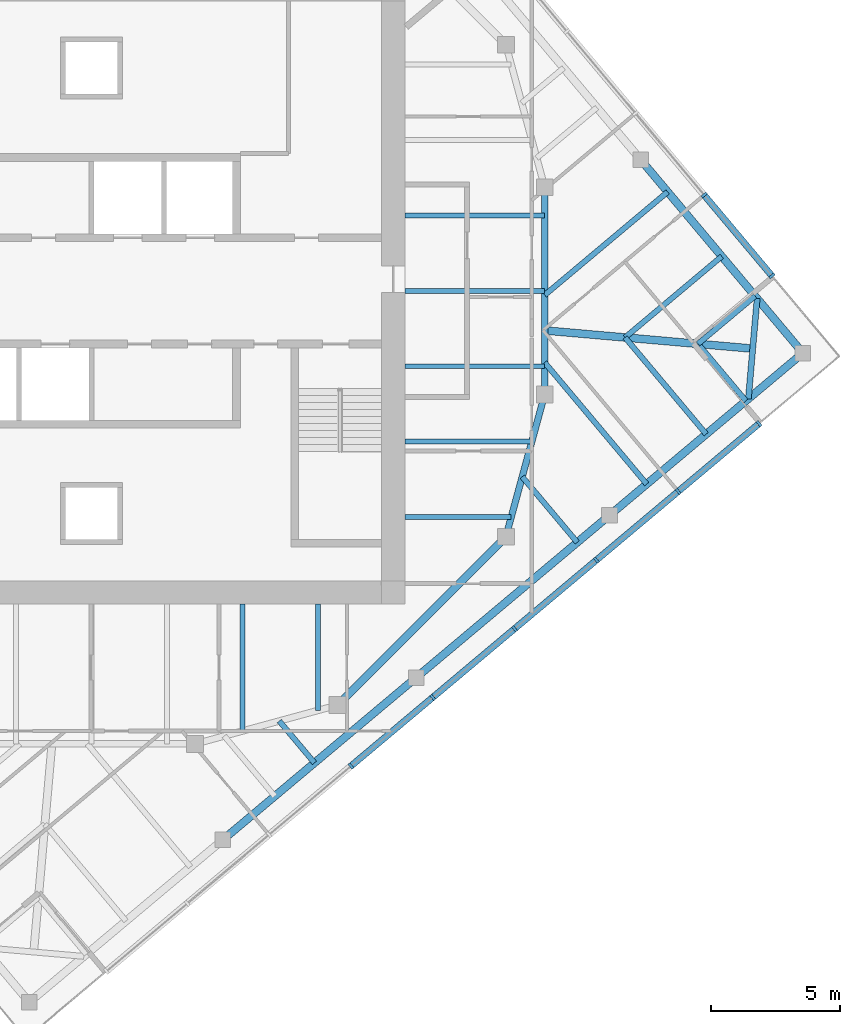
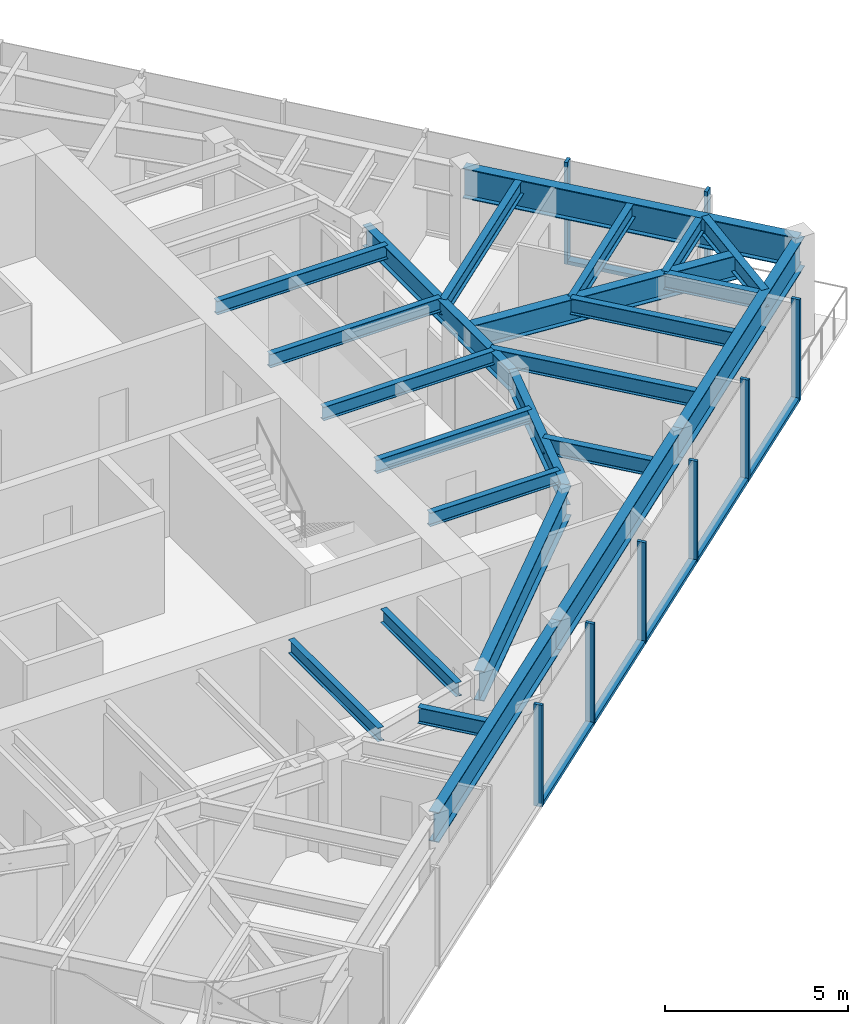
# One storey, part 3 of 11: 24 beams, 14 members, 2 elements without a shape of their own.
"""IFC4 building model written with IfcOpenShell, lengths in metres."""

from ifc_helpers import new_model, si_unit, direction, frame, origin, origin_2d, place, context, subcontext, project, spatial, rectangle, i_section, extrude, material, material_profile, profile_set, type_object, element, aggregate, save


model = new_model("IFC4")

# Units and contexts
model_context = context("Model", 3, precision=1e-05, world=origin(), true_north=direction((0.0, 1.0)))
body_context = subcontext(model_context, "Body", "Model", "MODEL_VIEW")
ifc_project = project(units=[si_unit("LENGTHUNIT", "METRE"), si_unit("AREAUNIT", "SQUARE_METRE"), si_unit("VOLUMEUNIT", "CUBIC_METRE"), si_unit("PLANEANGLEUNIT", "RADIAN"), si_unit("MASSUNIT", "GRAM", prefix="KILO")], contexts=[model_context])

# Site, building, storey
site_placement = place(None, origin())
site = spatial("IfcSite", under=ifc_project, at=site_placement, CompositionType="ELEMENT")
building_placement = place(site_placement, origin())
building = spatial("IfcBuilding", under=site, at=building_placement, Name="Torsade Residences", CompositionType="ELEMENT")
storey_placement = place(building_placement, frame((0.0, 0.0, 272.60009765625)))
storey = spatial("IfcBuildingStorey", under=building, at=storey_placement, Name="L75", CompositionType="ELEMENT", Elevation=272.60009765625)

# Beams
ifc_material_1 = material(Name="Steel grade 300", Category="steel")
ifc_material_profile_1 = material_profile(ifc_material_1, i_section(OverallWidth=0.300048828125, OverallDepth=0.800048828125, WebThickness=0.010009765625, FlangeThickness=0.02001953125, at=origin_2d()), Name="800WB146")
ifc_profile_set_1 = profile_set([ifc_material_profile_1], Name="Steel grade 300")
beam_type_1 = type_object("IfcBeamType", Name="CORNER GIRDER 800WB146", PredefinedType="BEAM", material=ifc_profile_set_1)
beam_1_placement = place(storey_placement, frame((65.53515625, 27.765869140625, 2.849853515625), z_axis=(-0.996193191806, 0.087172957961, 0.0), x_axis=(-0.087172957961, -0.996193191806, 0.0)))
element("IfcBeam", 1, at=beam_1_placement, inside=storey, type_object=beam_type_1, Name="Corner girder 05 L76", PredefinedType="BEAM", context=body_context, shape_type="SweptSolid", body=[
    extrude(i_section(OverallWidth=0.300048828125, OverallDepth=0.800048828125, WebThickness=0.010009765625, FlangeThickness=0.02001953125, at=origin_2d()), origin(), (0.0, 0.0, 1.0), 8.06591796875),
])
ifc_material_2 = material(Name="Steel grade 300", Category="steel")
ifc_material_profile_2 = material_profile(ifc_material_2, i_section(OverallWidth=0.22802734375, OverallDepth=0.60205078125, WebThickness=0.010498046875, FlangeThickness=0.014892578125, FilletRadius=0.013916015625, at=origin_2d()), Name="610UB101")
ifc_profile_set_2 = profile_set([ifc_material_profile_2], Name="Steel grade 300")
beam_type_2 = type_object("IfcBeamType", Name="CORNER TRIMMER 610UB101", PredefinedType="BEAM", material=ifc_profile_set_2)
beam_2_placement = place(storey_placement, frame((65.70458984375, 29.703125, 2.948974609375), z_axis=(-0.087133464362, -0.996196646947, 0.0), x_axis=(0.996196646947, -0.087133464362, 0.0)))
element("IfcBeam", 2, at=beam_2_placement, inside=storey, type_object=beam_type_2, Name="Corner trimmer 05 L76", PredefinedType="BEAM", context=body_context, shape_type="SweptSolid", body=[
    extrude(i_section(OverallWidth=0.22802734375, OverallDepth=0.60205078125, WebThickness=0.010498046875, FlangeThickness=0.014892578125, FilletRadius=0.013916015625, at=origin_2d()), origin(), (0.0, 0.0, 1.0), 3.88916015625),
])
ifc_material_3 = material(Name="Steel grade 300", Category="steel")
ifc_material_profile_3 = material_profile(ifc_material_3, i_section(OverallWidth=0.300048828125, OverallDepth=1.0, WebThickness=0.01611328125, FlangeThickness=0.028076171875, at=origin_2d()), Name="1000WB215")
ifc_profile_set_3 = profile_set([ifc_material_profile_3], Name="Steel grade 300")
beam_type_3 = type_object("IfcBeamType", Name="EDGE BEAM 1000WB215", PredefinedType="SPANDREL", material=ifc_profile_set_3)
for number, where, z_axis, x_axis, name in (
    (3, (45.0654296875, 8.794921875, 2.75), (0.766051532934, 0.642779160279, 0.0), (-0.642779160279, 0.766051532934, 0.0), "Edge beam 02 L76"),
    (4, (52.534423828125, 15.06201171875, 2.75), (0.766028856906, 0.642806184154, 0.0), (-0.642806184154, 0.766028856906, 0.0), "Edge beam 03 L76"),
    (5, (60.003173828125, 21.329345703125, 2.75), (0.766051532934, 0.642779160279, 0.0), (-0.642779160279, 0.766051532934, 0.0), "Edge beam 04 L76"),
    (6, (67.47216796875, 27.596435546875, 2.75), (-0.642779160279, 0.766051532934, 0.0), (-0.766051532934, -0.642779160279, 0.0), "Edge beam 05 L76"),
):
    element("IfcBeam", number, at=place(storey_placement, frame(where, z_axis=z_axis, x_axis=x_axis)), inside=storey, type_object=beam_type_3, Name=name, PredefinedType="SPANDREL", context=body_context, shape_type="SweptSolid", body=[
        extrude(i_section(OverallWidth=0.300048828125, OverallDepth=1.0, WebThickness=0.01611328125, FlangeThickness=0.028076171875, at=origin_2d()), origin(), (0.0, 0.0, 1.0), 9.75),
    ])

# Curtain wall, members
ifc_material_4 = material(Name="Aluminium and glass", Category="aluminium")
curtain_wall_type = type_object("IfcCurtainWallType", Name="FRITTED GLASS CURTAIN WALL HIGH ZONE", PredefinedType="NOTDEFINED", material=ifc_material_4)
curtain_wall_1_placement = place(storey_placement, origin())
curtain_wall_1 = element("IfcCurtainWall", 7, at=curtain_wall_1_placement, inside=storey, type_object=curtain_wall_type, Name="Curtain wall L75 face 1", PredefinedType="NOTDEFINED")
ifc_material_5 = material(Name="Aluminium mullion", Category="aluminium")
ifc_material_profile_4 = material_profile(ifc_material_5, rectangle(XDim=0.25, YDim=0.10009765625, at=origin_2d()), Name="HIGH ZONE CURTAIN WALL MULLION 250x100")
ifc_profile_set_4 = profile_set([ifc_material_profile_4], Name="Aluminium mullion")
member_type_1 = type_object("IfcMemberType", Name="HIGH ZONE CURTAIN WALL MULLION 250x100", PredefinedType="MULLION", material=ifc_profile_set_4)
member_1_placement = place(storey_placement, frame((50.017333984375, 11.64453125, 0.0), z_axis=(0.0, 0.0, 1.0), x_axis=(-0.642787616853, 0.766044437106, 0.0)))
member_1 = element("IfcMember", 8, at=member_1_placement, type_object=member_type_1, Name="Mullion 4", PredefinedType="MULLION", context=body_context, shape_type="SweptSolid", body=[
    extrude(rectangle(XDim=0.25, YDim=0.10009765625, at=origin_2d()), origin(), (0.0, 0.0, 1.0), 3.39990234375),
])
member_2_placement = place(storey_placement, frame((53.17724609375, 14.296142578125, 0.0), z_axis=(0.0, 0.0, 1.0), x_axis=(-0.642787616853, 0.766044437106, 0.0)))
member_2 = element("IfcMember", 9, at=member_2_placement, type_object=member_type_1, Name="Mullion 5", PredefinedType="MULLION", context=body_context, shape_type="SweptSolid", body=[
    extrude(rectangle(XDim=0.25, YDim=0.10009765625, at=origin_2d()), origin(), (0.0, 0.0, 1.0), 3.39990234375),
])
member_3_placement = place(storey_placement, frame((56.337158203125, 16.947509765625, 0.0), z_axis=(0.0, 0.0, 1.0), x_axis=(-0.642787616853, 0.766044437106, 0.0)))
member_3 = element("IfcMember", 10, at=member_3_placement, type_object=member_type_1, Name="Mullion 6", PredefinedType="MULLION", context=body_context, shape_type="SweptSolid", body=[
    extrude(rectangle(XDim=0.25, YDim=0.10009765625, at=origin_2d()), origin(), (0.0, 0.0, 1.0), 3.39990234375),
])
member_4_placement = place(storey_placement, frame((59.4970703125, 19.59912109375, 0.0), z_axis=(0.0, 0.0, 1.0), x_axis=(-0.642787616853, 0.766044437106, 0.0)))
member_4 = element("IfcMember", 11, at=member_4_placement, type_object=member_type_1, Name="Mullion 7", PredefinedType="MULLION", context=body_context, shape_type="SweptSolid", body=[
    extrude(rectangle(XDim=0.25, YDim=0.10009765625, at=origin_2d()), origin(), (0.0, 0.0, 1.0), 3.39990234375),
])
member_5_placement = place(storey_placement, frame((62.656982421875, 22.25048828125, 0.0), z_axis=(0.0, 0.0, 1.0), x_axis=(-0.642787616853, 0.766044437106, 0.0)))
member_5 = element("IfcMember", 12, at=member_5_placement, type_object=member_type_1, Name="Mullion 8", PredefinedType="MULLION", context=body_context, shape_type="SweptSolid", body=[
    extrude(rectangle(XDim=0.25, YDim=0.10009765625, at=origin_2d()), origin(), (0.0, 0.0, 1.0), 3.39990234375),
])
member_6_placement = place(storey_placement, frame((65.778564453125, 24.869873046875, 0.0), z_axis=(0.0, 0.0, 1.0), x_axis=(-0.642787616853, 0.766044437106, 0.0)))
member_6 = element("IfcMember", 13, at=member_6_placement, type_object=member_type_1, Name="Mullion 9", PredefinedType="MULLION", context=body_context, shape_type="SweptSolid", body=[
    extrude(rectangle(XDim=0.25, YDim=0.10009765625, at=origin_2d()), origin(), (0.0, 0.0, 1.0), 3.39990234375),
])

curtain_wall_2_placement = place(storey_placement, origin())
curtain_wall_2 = element("IfcCurtainWall", 14, at=curtain_wall_2_placement, inside=storey, type_object=curtain_wall_type, Name="Curtain wall L75 face 4", PredefinedType="NOTDEFINED")
member_7_placement = place(storey_placement, frame((66.27783203125, 30.57568359375, 0.0), z_axis=(0.0, 0.0, 1.0), x_axis=(-0.766044437106, -0.642787616853, 0.0)))
member_7 = element("IfcMember", 15, at=member_7_placement, type_object=member_type_1, Name="Mullion 1", PredefinedType="MULLION", context=body_context, shape_type="SweptSolid", body=[
    extrude(rectangle(XDim=0.25, YDim=0.10009765625, at=origin_2d()), origin(), (0.0, 0.0, 1.0), 3.39990234375),
])
member_8_placement = place(storey_placement, frame((63.658447265625, 33.697265625, 0.0), z_axis=(0.0, 0.0, 1.0), x_axis=(-0.766044437106, -0.642787616853, 0.0)))
member_8 = element("IfcMember", 16, at=member_8_placement, type_object=member_type_1, Name="Mullion 2", PredefinedType="MULLION", context=body_context, shape_type="SweptSolid", body=[
    extrude(rectangle(XDim=0.25, YDim=0.10009765625, at=origin_2d()), origin(), (0.0, 0.0, 1.0), 3.39990234375),
])

# Member
ifc_material_6 = material(Name="Aluminium transom", Category="aluminium")
ifc_material_profile_5 = material_profile(ifc_material_6, rectangle(XDim=0.25, YDim=0.1201171875, at=origin_2d()), Name="HIGH ZONE CURTAIN WALL TRANSOM 250x120")
ifc_profile_set_5 = profile_set([ifc_material_profile_5], Name="Aluminium transom")
member_type_2 = type_object("IfcMemberType", Name="HIGH ZONE CURTAIN WALL TRANSOM 250x120", PredefinedType="USERDEFINED", material=ifc_profile_set_5)
member_9_placement = place(storey_placement, frame((50.055419921875, 11.6767578125, 0.059814453125), z_axis=(0.766069182322, 0.6427581255, 0.0), x_axis=(-0.6427581255, 0.766069182322, 0.0)))
member_9 = element("IfcMember", 17, at=member_9_placement, type_object=member_type_2, Name="Transom 4.1", ObjectType="TRANSOM", PredefinedType="USERDEFINED", context=body_context, shape_type="SweptSolid", body=[
    extrude(rectangle(XDim=0.25, YDim=0.1201171875, at=origin_2d()), origin(), (0.0, 0.0, 1.0), 4.025146484375),
])

member_10_placement = place(storey_placement, frame((53.21533203125, 14.328125, 0.059814453125), z_axis=(0.766039316443, 0.642793719372, 0.0), x_axis=(-0.642793719372, 0.766039316443, 0.0)))
member_10 = element("IfcMember", 18, at=member_10_placement, type_object=member_type_2, Name="Transom 5.1", ObjectType="TRANSOM", PredefinedType="USERDEFINED", context=body_context, shape_type="SweptSolid", body=[
    extrude(rectangle(XDim=0.25, YDim=0.1201171875, at=origin_2d()), origin(), (0.0, 0.0, 1.0), 4.025146484375),
])

member_11_placement = place(storey_placement, frame((56.37548828125, 16.979736328125, 0.059814453125), z_axis=(0.766044121803, 0.642787992616, 0.0), x_axis=(-0.642787992616, 0.766044121803, 0.0)))
member_11 = element("IfcMember", 19, at=member_11_placement, type_object=member_type_2, Name="Transom 6.1", ObjectType="TRANSOM", PredefinedType="USERDEFINED", context=body_context, shape_type="SweptSolid", body=[
    extrude(rectangle(XDim=0.25, YDim=0.1201171875, at=origin_2d()), origin(), (0.0, 0.0, 1.0), 4.02490234375),
])

member_12_placement = place(storey_placement, frame((59.535400390625, 19.63134765625, 0.059814453125), z_axis=(0.766044121803, 0.642787992616, 0.0), x_axis=(-0.642787992616, 0.766044121803, 0.0)))
member_12 = element("IfcMember", 20, at=member_12_placement, type_object=member_type_2, Name="Transom 7.1", ObjectType="TRANSOM", PredefinedType="USERDEFINED", context=body_context, shape_type="SweptSolid", body=[
    extrude(rectangle(XDim=0.25, YDim=0.1201171875, at=origin_2d()), origin(), (0.0, 0.0, 1.0), 4.02490234375),
])

member_13_placement = place(storey_placement, frame((62.6953125, 22.28271484375, 0.059814453125), z_axis=(0.766021778456, 0.642814619413, 0.0), x_axis=(-0.642814619413, 0.766021778456, 0.0)))
member_13 = element("IfcMember", 21, at=member_13_placement, type_object=member_type_2, Name="Transom 8.1", ObjectType="TRANSOM", PredefinedType="USERDEFINED", context=body_context, shape_type="SweptSolid", body=[
    extrude(rectangle(XDim=0.25, YDim=0.1201171875, at=origin_2d()), origin(), (0.0, 0.0, 1.0), 3.97509765625),
])

aggregate(curtain_wall_1, [member_1, member_2, member_3, member_4, member_5, member_6, member_9, member_10, member_11, member_12, member_13])

member_14_placement = place(storey_placement, frame((66.24560546875, 30.614013671875, 0.059814453125), z_axis=(-0.642814619413, 0.766021778456, 0.0), x_axis=(-0.766021778456, -0.642814619413, 0.0)))
member_14 = element("IfcMember", 22, at=member_14_placement, type_object=member_type_2, Name="Transom 1.1", ObjectType="TRANSOM", PredefinedType="USERDEFINED", context=body_context, shape_type="SweptSolid", body=[
    extrude(rectangle(XDim=0.25, YDim=0.1201171875, at=origin_2d()), origin(), (0.0, 0.0, 1.0), 3.97509765625),
])

aggregate(curtain_wall_2, [member_7, member_8, member_14])

# Beams
ifc_material_7 = material(Name="Steel grade 300", Category="steel")
ifc_material_profile_6 = material_profile(ifc_material_7, i_section(OverallWidth=0.18994140625, OverallDepth=0.4541015625, WebThickness=0.008544921875, FlangeThickness=0.0126953125, FilletRadius=0.011474609375, at=origin_2d()), Name="460UB67.1")
ifc_profile_set_6 = profile_set([ifc_material_profile_6], Name="Steel grade 300")
beam_type_4 = type_object("IfcBeamType", Name="INNER FLOOR BEAM 460UB67.1", PredefinedType="JOIST", material=ifc_profile_set_6)
beam_3_placement = place(storey_placement, frame((48.737548828125, 17.89990234375, 3.02294921875), z_axis=(0.0, -1.0, 0.0), x_axis=(1.0, 0.0, 0.0)))
element("IfcBeam", 23, at=beam_3_placement, inside=storey, type_object=beam_type_4, Name="Inner floor beam IS01 L76", PredefinedType="JOIST", context=body_context, shape_type="SweptSolid", body=[
    extrude(i_section(OverallWidth=0.18994140625, OverallDepth=0.4541015625, WebThickness=0.008544921875, FlangeThickness=0.0126953125, FilletRadius=0.011474609375, at=origin_2d()), origin(), (0.0, 0.0, 1.0), 4.10791015625),
])
beam_4_placement = place(storey_placement, frame((45.824951171875, 17.89990234375, 3.02294921875), z_axis=(0.0, -1.0, 0.0), x_axis=(1.0, 0.0, 0.0)))
element("IfcBeam", 24, at=beam_4_placement, inside=storey, type_object=beam_type_4, Name="Inner floor beam IS02 L76", PredefinedType="JOIST", context=body_context, shape_type="SweptSolid", body=[
    extrude(i_section(OverallWidth=0.18994140625, OverallDepth=0.4541015625, WebThickness=0.008544921875, FlangeThickness=0.0126953125, FilletRadius=0.011474609375, at=origin_2d()), origin(), (0.0, 0.0, 1.0), 4.902099609375),
])
beam_5_placement = place(storey_placement, frame((52.10009765625, 21.262451171875, 3.02294921875), z_axis=(1.0, 0.0, 0.0), x_axis=(0.0, 1.0, 0.0)))
element("IfcBeam", 25, at=beam_5_placement, inside=storey, type_object=beam_type_4, Name="Inner floor beam IE01 L76", PredefinedType="JOIST", context=body_context, shape_type="SweptSolid", body=[
    extrude(i_section(OverallWidth=0.18994140625, OverallDepth=0.4541015625, WebThickness=0.008544921875, FlangeThickness=0.0126953125, FilletRadius=0.011474609375, at=origin_2d()), origin(), (0.0, 0.0, 1.0), 4.10791015625),
])
beam_6_placement = place(storey_placement, frame((52.10009765625, 24.175048828125, 3.02294921875), z_axis=(1.0, 0.0, 0.0), x_axis=(0.0, 1.0, 0.0)))
element("IfcBeam", 26, at=beam_6_placement, inside=storey, type_object=beam_type_4, Name="Inner floor beam IE02 L76", PredefinedType="JOIST", context=body_context, shape_type="SweptSolid", body=[
    extrude(i_section(OverallWidth=0.18994140625, OverallDepth=0.4541015625, WebThickness=0.008544921875, FlangeThickness=0.0126953125, FilletRadius=0.011474609375, at=origin_2d()), origin(), (0.0, 0.0, 1.0), 4.902099609375),
])
for number, where, z_axis, x_axis, name in (
    (27, (52.10009765625, 27.08740234375, 3.02294921875), (1.0, 0.0, 0.0), (0.0, 1.0, 0.0), "Inner floor beam IE03 L76"),
    (28, (52.10009765625, 30.0, 3.02294921875), (1.0, 0.0, 0.0), (0.0, 1.0, 0.0), "Inner floor beam IE04 L76"),
    (29, (52.10009765625, 32.91259765625, 3.02294921875), (1.0, 0.0, 0.0), (0.0, 1.0, 0.0), "Inner floor beam IE05 L76"),
):
    element("IfcBeam", number, at=place(storey_placement, frame(where, z_axis=z_axis, x_axis=x_axis)), inside=storey, type_object=beam_type_4, Name=name, PredefinedType="JOIST", context=body_context, shape_type="SweptSolid", body=[
        extrude(i_section(OverallWidth=0.18994140625, OverallDepth=0.4541015625, WebThickness=0.008544921875, FlangeThickness=0.0126953125, FilletRadius=0.011474609375, at=origin_2d()), origin(), (0.0, 0.0, 1.0), 5.39990234375),
    ])
ifc_material_8 = material(Name="Steel grade 300", Category="steel")
ifc_material_profile_7 = material_profile(ifc_material_8, i_section(OverallWidth=0.300048828125, OverallDepth=1.0, WebThickness=0.01611328125, FlangeThickness=0.028076171875, at=origin_2d()), Name="1000WB215")
ifc_profile_set_7 = profile_set([ifc_material_profile_7], Name="Steel grade 300")
beam_type_5 = type_object("IfcBeamType", Name="RING CORNER GIRDER 1000WB215", PredefinedType="BEAM", material=ifc_profile_set_7)
beam_7_placement = place(storey_placement, frame((49.5, 14.0, 2.75), z_axis=(0.707106781187, 0.707106781187, 0.0), x_axis=(-0.707106781187, 0.707106781187, 0.0)))
element("IfcBeam", 30, at=beam_7_placement, inside=storey, type_object=beam_type_5, Name="Ring girder IR15 L76", PredefinedType="BEAM", context=body_context, shape_type="SweptSolid", body=[
    extrude(i_section(OverallWidth=0.300048828125, OverallDepth=1.0, WebThickness=0.01611328125, FlangeThickness=0.028076171875, at=origin_2d()), origin(), (0.0, 0.0, 1.0), 9.1923828125),
])
ifc_material_9 = material(Name="Steel grade 300", Category="steel")
ifc_material_profile_8 = material_profile(ifc_material_9, i_section(OverallWidth=0.25, OverallDepth=0.699951171875, WebThickness=0.010009765625, FlangeThickness=0.02001953125, at=origin_2d()), Name="700WB130")
ifc_profile_set_8 = profile_set([ifc_material_profile_8], Name="Steel grade 300")
beam_type_6 = type_object("IfcBeamType", Name="RING GIRDER 700WB130", PredefinedType="BEAM", material=ifc_profile_set_8)
beam_8_placement = place(storey_placement, frame((57.5, 26.0, 2.89990234375), z_axis=(0.0, 1.0, 0.0), x_axis=(-1.0, 0.0, 0.0)))
element("IfcBeam", 31, at=beam_8_placement, inside=storey, type_object=beam_type_6, Name="Ring girder IR01 L76", PredefinedType="BEAM", context=body_context, shape_type="SweptSolid", body=[
    extrude(i_section(OverallWidth=0.25, OverallDepth=0.699951171875, WebThickness=0.010009765625, FlangeThickness=0.02001953125, at=origin_2d()), origin(), (0.0, 0.0, 1.0), 8.0),
])
beam_9_placement = place(storey_placement, frame((56.0, 20.5, 2.89990234375), z_axis=(0.263117405792, 0.964763821238, 0.0), x_axis=(-0.964763821238, 0.263117405792, 0.0)))
element("IfcBeam", 32, at=beam_9_placement, inside=storey, type_object=beam_type_6, Name="Ring girder IR16 L76", PredefinedType="BEAM", context=body_context, shape_type="SweptSolid", body=[
    extrude(i_section(OverallWidth=0.25, OverallDepth=0.699951171875, WebThickness=0.010009765625, FlangeThickness=0.02001953125, at=origin_2d()), origin(), (0.0, 0.0, 1.0), 5.700927734375),
])
ifc_material_10 = material(Name="Steel grade 300", Category="steel")
ifc_material_profile_9 = material_profile(ifc_material_10, i_section(OverallWidth=0.208984375, OverallDepth=0.532958984375, WebThickness=0.01025390625, FlangeThickness=0.015625, FilletRadius=0.013916015625, at=origin_2d()), Name="530UB92.4")
ifc_profile_set_9 = profile_set([ifc_material_profile_9], Name="Steel grade 300")
beam_type_7 = type_object("IfcBeamType", Name="SECONDARY BEAM 530UB92.4", PredefinedType="JOIST", material=ifc_profile_set_9)
beam_10_placement = place(storey_placement, frame((48.6083984375, 11.767822265625, 2.9833984375), z_axis=(-0.642771977004, 0.766057560226, 0.0), x_axis=(-0.766057560226, -0.642771977004, 0.0)))
element("IfcBeam", 33, at=beam_10_placement, inside=storey, type_object=beam_type_7, Name="Floor beam FS05 L76", PredefinedType="JOIST", context=body_context, shape_type="SweptSolid", body=[
    extrude(i_section(OverallWidth=0.208984375, OverallDepth=0.532958984375, WebThickness=0.01025390625, FlangeThickness=0.015625, FilletRadius=0.013916015625, at=origin_2d()), origin(), (0.0, 0.0, 1.0), 2.113037109375),
])
beam_11_placement = place(storey_placement, frame((58.758544921875, 20.28466796875, 2.9833984375), z_axis=(-0.642786956891, 0.766044990879, 0.0), x_axis=(-0.766044990879, -0.642786956891, 0.0)))
element("IfcBeam", 34, at=beam_11_placement, inside=storey, type_object=beam_type_7, Name="Floor beam FS09 L76", PredefinedType="JOIST", context=body_context, shape_type="SweptSolid", body=[
    extrude(i_section(OverallWidth=0.208984375, OverallDepth=0.532958984375, WebThickness=0.01025390625, FlangeThickness=0.015625, FilletRadius=0.013916015625, at=origin_2d()), origin(), (0.0, 0.0, 1.0), 3.307861328125),
])
beam_12_placement = place(storey_placement, frame((61.439697265625, 22.534423828125, 2.9833984375), z_axis=(-0.642794037701, 0.766039049329, 0.0), x_axis=(-0.766039049329, -0.642794037701, 0.0)))
element("IfcBeam", 35, at=beam_12_placement, inside=storey, type_object=beam_type_7, Name="Floor beam FS10 L76", PredefinedType="JOIST", context=body_context, shape_type="SweptSolid", body=[
    extrude(i_section(OverallWidth=0.208984375, OverallDepth=0.532958984375, WebThickness=0.01025390625, FlangeThickness=0.015625, FilletRadius=0.013916015625, at=origin_2d()), origin(), (0.0, 0.0, 1.0), 6.12890625),
])
beam_13_placement = place(storey_placement, frame((63.73779296875, 24.462890625, 2.9833984375), z_axis=(-0.642791490223, 0.766041186946, 0.0), x_axis=(-0.766041186946, -0.642791490223, 0.0)))
element("IfcBeam", 36, at=beam_13_placement, inside=storey, type_object=beam_type_7, Name="Floor beam FS11 L76", PredefinedType="JOIST", context=body_context, shape_type="SweptSolid", body=[
    extrude(i_section(OverallWidth=0.208984375, OverallDepth=0.532958984375, WebThickness=0.01025390625, FlangeThickness=0.015625, FilletRadius=0.013916015625, at=origin_2d()), origin(), (0.0, 0.0, 1.0), 4.875),
])
for number, where, z_axis, x_axis, name in (
    (37, (65.269775390625, 25.74853515625, 2.9833984375), (-0.642761807001, 0.766066093402, 0.0), (-0.766066093402, -0.642761807001, 0.0), "Floor beam FS12 L76"),
    (38, (65.624267578125, 29.798828125, 2.9833984375), (-0.766066093402, -0.642761807001, 0.0), (0.642761807001, -0.766066093402, 0.0), "Floor beam FE01 L76"),
):
    element("IfcBeam", number, at=place(storey_placement, frame(where, z_axis=z_axis, x_axis=x_axis)), inside=storey, type_object=beam_type_7, Name=name, PredefinedType="JOIST", context=body_context, shape_type="SweptSolid", body=[
        extrude(i_section(OverallWidth=0.208984375, OverallDepth=0.532958984375, WebThickness=0.01025390625, FlangeThickness=0.015625, FilletRadius=0.013916015625, at=origin_2d()), origin(), (0.0, 0.0, 1.0), 2.875),
    ])
beam_14_placement = place(storey_placement, frame((64.338623046875, 31.3310546875, 2.9833984375), z_axis=(-0.766016526982, -0.642820877376, 0.0), x_axis=(0.642820877376, -0.766016526982, 0.0)))
element("IfcBeam", 39, at=beam_14_placement, inside=storey, type_object=beam_type_7, Name="Floor beam FE02 L76", PredefinedType="JOIST", context=body_context, shape_type="SweptSolid", body=[
    extrude(i_section(OverallWidth=0.208984375, OverallDepth=0.532958984375, WebThickness=0.01025390625, FlangeThickness=0.015625, FilletRadius=0.013916015625, at=origin_2d()), origin(), (0.0, 0.0, 1.0), 4.875),
])
beam_15_placement = place(storey_placement, frame((62.24951171875, 33.820556640625, 2.9833984375), z_axis=(-0.766041422722, -0.642791209238, 0.0), x_axis=(0.642791209238, -0.766041422722, 0.0)))
element("IfcBeam", 40, at=beam_15_placement, inside=storey, type_object=beam_type_7, Name="Floor beam FE03 L76", PredefinedType="JOIST", context=body_context, shape_type="SweptSolid", body=[
    extrude(i_section(OverallWidth=0.208984375, OverallDepth=0.532958984375, WebThickness=0.01025390625, FlangeThickness=0.015625, FilletRadius=0.013916015625, at=origin_2d()), origin(), (0.0, 0.0, 1.0), 6.199951171875),
])

save(model, "model.ifc")
